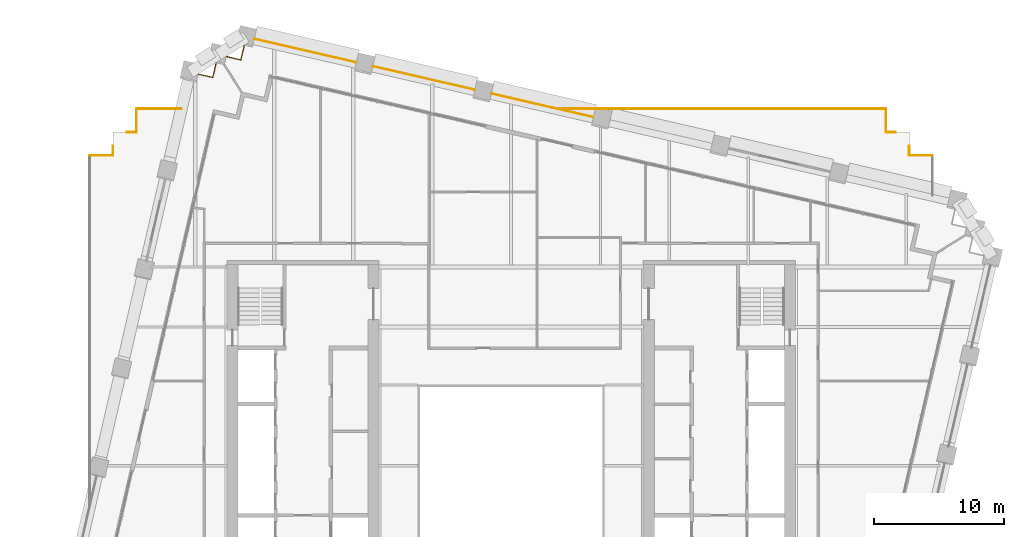
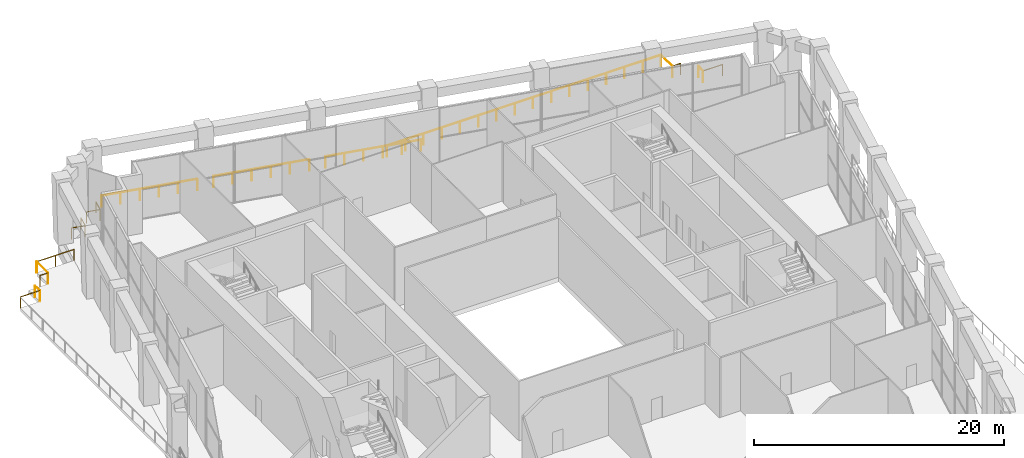
# One storey, part 23 of 23: 15 railings.
"""IFC4 building model written with IfcOpenShell, lengths in metres."""

from ifc_helpers import new_model, si_unit, direction, frame, origin, origin_2d, place, context, subcontext, project, spatial, circle, extrude, material, type_object, element, save


model = new_model("IFC4")

# Units and contexts
model_context = context("Model", 3, precision=1e-05, world=origin(), true_north=direction((0.0, 1.0)))
body_context = subcontext(model_context, "Body", "Model", "MODEL_VIEW")
ifc_project = project(units=[si_unit("LENGTHUNIT", "METRE"), si_unit("AREAUNIT", "SQUARE_METRE"), si_unit("VOLUMEUNIT", "CUBIC_METRE"), si_unit("PLANEANGLEUNIT", "RADIAN"), si_unit("MASSUNIT", "GRAM", prefix="KILO")], contexts=[model_context])

# Site, building, storey
site_placement = place(None, origin())
site = spatial("IfcSite", under=ifc_project, at=site_placement, CompositionType="ELEMENT")
building_placement = place(site_placement, origin())
building = spatial("IfcBuilding", under=site, at=building_placement, Name="Ogive Exchange Tower", CompositionType="ELEMENT")
storey_placement = place(building_placement, frame((0.0, 0.0, 99.60009765625)))
storey = spatial("IfcBuildingStorey", under=building, at=storey_placement, Name="L21", CompositionType="ELEMENT", Elevation=99.60009765625)

# Railings
ifc_material = material(Name="Stainless steel 316", Category="steel")
railing_type_1 = type_object("IfcRailingType", Name="Balustrade 1100 glass and stainless steel", PredefinedType="BALUSTRADE", material=ifc_material)
railing_1_placement = place(storey_placement, frame((-32.39990234375, 33.800048828125, 0.0)))
element("IfcRailing", 1, at=railing_1_placement, inside=storey, type_object=railing_type_1, Name="Terrace balustrade 12", PredefinedType="BALUSTRADE", context=body_context, shape_type="SweptSolid", body=[
    extrude(circle(Radius=0.02392578125, at=origin_2d()), frame((0.0, 0.0, 1.076171875), z_axis=(1.0, 0.0, 0.0), x_axis=(0.0, 1.0, 0.0)), (0.0, 0.0, 1.0), 1.7998046875),
    extrude(circle(Radius=0.02099609375, at=origin_2d()), origin(), (0.0, 0.0, 1.0), 1.052001953125),
    extrude(circle(Radius=0.02099609375, at=origin_2d()), frame((1.7998046875, 0.0, 0.0)), (0.0, 0.0, 1.0), 1.052001953125),
])
railing_2_placement = place(storey_placement, frame((-30.60009765625, 33.800048828125, 0.0)))
element("IfcRailing", 2, at=railing_2_placement, inside=storey, type_object=railing_type_1, Name="Terrace balustrade 13", PredefinedType="BALUSTRADE", context=body_context, shape_type="SweptSolid", body=[
    extrude(circle(Radius=0.02392578125, at=origin_2d()), frame((0.0, 0.0, 1.076171875), z_axis=(0.0, 1.0, 0.0), x_axis=(-1.0, 0.0, 0.0)), (0.0, 0.0, 1.0), 0.75),
    extrude(circle(Radius=0.02099609375, at=origin_2d()), origin(), (0.0, 0.0, 1.0), 1.052001953125),
    extrude(circle(Radius=0.02099609375, at=origin_2d()), frame((0.0, 0.75, 0.0)), (0.0, 0.0, 1.0), 1.052001953125),
])
railing_3_placement = place(storey_placement, frame((-29.550048828125, 35.60009765625, 0.0)))
element("IfcRailing", 3, at=railing_3_placement, inside=storey, type_object=railing_type_1, Name="Terrace balustrade 14", PredefinedType="BALUSTRADE", context=body_context, shape_type="SweptSolid", body=[
    extrude(circle(Radius=0.02392578125, at=origin_2d()), frame((0.0, 0.0, 1.076171875), z_axis=(1.0, 0.0, 0.0), x_axis=(0.0, 1.0, 0.0)), (0.0, 0.0, 1.0), 0.75),
    extrude(circle(Radius=0.02099609375, at=origin_2d()), origin(), (0.0, 0.0, 1.0), 1.052001953125),
    extrude(circle(Radius=0.02099609375, at=origin_2d()), frame((0.75, 0.0, 0.0)), (0.0, 0.0, 1.0), 1.052001953125),
])
railing_4_placement = place(storey_placement, frame((-28.800048828125, 35.60009765625, 0.0)))
element("IfcRailing", 4, at=railing_4_placement, inside=storey, type_object=railing_type_1, Name="Terrace balustrade 15", PredefinedType="BALUSTRADE", context=body_context, shape_type="SweptSolid", body=[
    extrude(circle(Radius=0.02392578125, at=origin_2d()), frame((0.0, 0.0, 1.076171875), z_axis=(0.0, 1.0, 0.0), x_axis=(-1.0, 0.0, 0.0)), (0.0, 0.0, 1.0), 1.7998046875),
    extrude(circle(Radius=0.02099609375, at=origin_2d()), origin(), (0.0, 0.0, 1.0), 1.052001953125),
    extrude(circle(Radius=0.02099609375, at=origin_2d()), frame((0.0, 1.7998046875, 0.0)), (0.0, 0.0, 1.0), 1.052001953125),
])
railing_5_placement = place(storey_placement, frame((-28.800048828125, 37.39990234375, 0.0)))
element("IfcRailing", 5, at=railing_5_placement, inside=storey, type_object=railing_type_1, Name="Terrace balustrade 16", PredefinedType="BALUSTRADE", context=body_context, shape_type="SweptSolid", body=[
    extrude(circle(Radius=0.02392578125, at=origin_2d()), frame((0.0, 0.0, 1.076171875), z_axis=(1.0, 0.0, 0.0), x_axis=(0.0, 1.0, 0.0)), (0.0, 0.0, 1.0), 3.451416015625),
    extrude(circle(Radius=0.02099609375, at=origin_2d()), origin(), (0.0, 0.0, 1.0), 1.052001953125),
    extrude(circle(Radius=0.02099609375, at=origin_2d()), frame((1.7255859375, 0.0, 0.0)), (0.0, 0.0, 1.0), 1.052001953125),
    extrude(circle(Radius=0.02099609375, at=origin_2d()), frame((3.451416015625, 0.0, 0.0)), (0.0, 0.0, 1.0), 1.052001953125),
])
railing_6_placement = place(storey_placement, frame((28.800048828125, 37.39990234375, 0.0)))
element("IfcRailing", 6, at=railing_6_placement, inside=storey, type_object=railing_type_1, Name="Terrace balustrade 18", PredefinedType="BALUSTRADE", context=body_context, shape_type="SweptSolid", body=[
    extrude(circle(Radius=0.02392578125, at=origin_2d()), frame((0.0, 0.0, 1.076171875), z_axis=(0.0, -1.0, 0.0), x_axis=(1.0, 0.0, 0.0)), (0.0, 0.0, 1.0), 1.7998046875),
    extrude(circle(Radius=0.02099609375, at=origin_2d()), origin(), (0.0, 0.0, 1.0), 1.052001953125),
    extrude(circle(Radius=0.02099609375, at=origin_2d()), frame((0.0, -1.7998046875, 0.0)), (0.0, 0.0, 1.0), 1.052001953125),
])
railing_7_placement = place(storey_placement, frame((28.800048828125, 35.60009765625, 0.0)))
element("IfcRailing", 7, at=railing_7_placement, inside=storey, type_object=railing_type_1, Name="Terrace balustrade 19", PredefinedType="BALUSTRADE", context=body_context, shape_type="SweptSolid", body=[
    extrude(circle(Radius=0.02392578125, at=origin_2d()), frame((0.0, 0.0, 1.076171875), z_axis=(1.0, 0.0, 0.0), x_axis=(0.0, 1.0, 0.0)), (0.0, 0.0, 1.0), 0.75),
    extrude(circle(Radius=0.02099609375, at=origin_2d()), origin(), (0.0, 0.0, 1.0), 1.052001953125),
    extrude(circle(Radius=0.02099609375, at=origin_2d()), frame((0.75, 0.0, 0.0)), (0.0, 0.0, 1.0), 1.052001953125),
])
railing_8_placement = place(storey_placement, frame((30.60009765625, 34.550048828125, 0.0)))
element("IfcRailing", 8, at=railing_8_placement, inside=storey, type_object=railing_type_1, Name="Terrace balustrade 20", PredefinedType="BALUSTRADE", context=body_context, shape_type="SweptSolid", body=[
    extrude(circle(Radius=0.02392578125, at=origin_2d()), frame((0.0, 0.0, 1.076171875), z_axis=(0.0, -1.0, 0.0), x_axis=(1.0, 0.0, 0.0)), (0.0, 0.0, 1.0), 0.75),
    extrude(circle(Radius=0.02099609375, at=origin_2d()), origin(), (0.0, 0.0, 1.0), 1.052001953125),
    extrude(circle(Radius=0.02099609375, at=origin_2d()), frame((0.0, -0.75, 0.0)), (0.0, 0.0, 1.0), 1.052001953125),
])
railing_9_placement = place(storey_placement, frame((30.60009765625, 33.800048828125, 0.0)))
element("IfcRailing", 9, at=railing_9_placement, inside=storey, type_object=railing_type_1, Name="Terrace balustrade 21", PredefinedType="BALUSTRADE", context=body_context, shape_type="SweptSolid", body=[
    extrude(circle(Radius=0.02392578125, at=origin_2d()), frame((0.0, 0.0, 1.076171875), z_axis=(1.0, 0.0, 0.0), x_axis=(0.0, 1.0, 0.0)), (0.0, 0.0, 1.0), 1.7998046875),
    extrude(circle(Radius=0.02099609375, at=origin_2d()), origin(), (0.0, 0.0, 1.0), 1.052001953125),
    extrude(circle(Radius=0.02099609375, at=origin_2d()), frame((1.7998046875, 0.0, 0.0)), (0.0, 0.0, 1.0), 1.052001953125),
])
railing_10_placement = place(storey_placement, frame((3.5205078125, 37.39990234375, 0.0)))
element("IfcRailing", 10, at=railing_10_placement, inside=storey, type_object=railing_type_1, Name="Terrace balustrade 23", PredefinedType="BALUSTRADE", context=body_context, shape_type="SweptSolid", body=[
    extrude(circle(Radius=0.02392578125, at=origin_2d()), frame((0.0, 0.0, 1.076171875), z_axis=(1.0, 0.0, 0.0), x_axis=(0.0, 1.0, 0.0)), (0.0, 0.0, 1.0), 25.279541015625),
    extrude(circle(Radius=0.02099609375, at=origin_2d()), origin(), (0.0, 0.0, 1.0), 1.052001953125),
    extrude(circle(Radius=0.02099609375, at=origin_2d()), frame((1.685302734375, 0.0, 0.0)), (0.0, 0.0, 1.0), 1.052001953125),
    extrude(circle(Radius=0.02099609375, at=origin_2d()), frame((3.37060546875, 0.0, 0.0)), (0.0, 0.0, 1.0), 1.052001953125),
    extrude(circle(Radius=0.02099609375, at=origin_2d()), frame((5.055908203125, 0.0, 0.0)), (0.0, 0.0, 1.0), 1.052001953125),
    extrude(circle(Radius=0.02099609375, at=origin_2d()), frame((6.7412109375, 0.0, 0.0)), (0.0, 0.0, 1.0), 1.052001953125),
    extrude(circle(Radius=0.02099609375, at=origin_2d()), frame((8.426513671875, 0.0, 0.0)), (0.0, 0.0, 1.0), 1.052001953125),
    extrude(circle(Radius=0.02099609375, at=origin_2d()), frame((10.11181640625, 0.0, 0.0)), (0.0, 0.0, 1.0), 1.052001953125),
    extrude(circle(Radius=0.02099609375, at=origin_2d()), frame((11.797119140625, 0.0, 0.0)), (0.0, 0.0, 1.0), 1.052001953125),
    extrude(circle(Radius=0.02099609375, at=origin_2d()), frame((13.482421875, 0.0, 0.0)), (0.0, 0.0, 1.0), 1.052001953125),
    extrude(circle(Radius=0.02099609375, at=origin_2d()), frame((15.167724609375, 0.0, 0.0)), (0.0, 0.0, 1.0), 1.052001953125),
    extrude(circle(Radius=0.02099609375, at=origin_2d()), frame((16.85302734375, 0.0, 0.0)), (0.0, 0.0, 1.0), 1.052001953125),
    extrude(circle(Radius=0.02099609375, at=origin_2d()), frame((18.538330078125, 0.0, 0.0)), (0.0, 0.0, 1.0), 1.052001953125),
    extrude(circle(Radius=0.02099609375, at=origin_2d()), frame((20.2236328125, 0.0, 0.0)), (0.0, 0.0, 1.0), 1.052001953125),
    extrude(circle(Radius=0.02099609375, at=origin_2d()), frame((21.908935546875, 0.0, 0.0)), (0.0, 0.0, 1.0), 1.052001953125),
    extrude(circle(Radius=0.02099609375, at=origin_2d()), frame((23.59423828125, 0.0, 0.0)), (0.0, 0.0, 1.0), 1.052001953125),
    extrude(circle(Radius=0.02099609375, at=origin_2d()), frame((25.279541015625, 0.0, 0.0)), (0.0, 0.0, 1.0), 1.052001953125),
])
railing_type_2 = type_object("IfcRailingType", Name="Guard 1100 stainless steel and glass", PredefinedType="GUARDRAIL", material=ifc_material)
for number, where, name in (
    (11, (6.298095703125, 36.7587890625, 0.0), "Loggia guard N03"),
    (12, (-2.812255859375, 38.862060546875, 0.0), "Loggia guard N04"),
    (13, (-11.922607421875, 40.96533203125, 0.0), "Loggia guard N05"),
):
    element("IfcRailing", number, at=place(storey_placement, frame(where)), inside=storey, type_object=railing_type_2, Name=name, PredefinedType="GUARDRAIL", context=body_context, shape_type="SweptSolid", body=[
        extrude(circle(Radius=0.02392578125, at=origin_2d()), frame((0.0, 0.0, 1.076171875), z_axis=(-0.974372699143, 0.224939643383, 0.0), x_axis=(-0.224939643383, -0.974372699143, 0.0)), (0.0, 0.0, 1.0), 8.010009765625),
        extrude(circle(Radius=0.02099609375, at=origin_2d()), origin(), (0.0, 0.0, 1.0), 1.052001953125),
        extrude(circle(Radius=0.02099609375, at=origin_2d()), frame((-1.56103515625, 0.3603515625, 0.0)), (0.0, 0.0, 1.0), 1.052001953125),
        extrude(circle(Radius=0.02099609375, at=origin_2d()), frame((-3.121826171875, 0.720703125, 0.0)), (0.0, 0.0, 1.0), 1.052001953125),
        extrude(circle(Radius=0.02099609375, at=origin_2d()), frame((-4.682861328125, 1.0810546875, 0.0)), (0.0, 0.0, 1.0), 1.052001953125),
        extrude(circle(Radius=0.02099609375, at=origin_2d()), frame((-6.24365234375, 1.44140625, 0.0)), (0.0, 0.0, 1.0), 1.052001953125),
        extrude(circle(Radius=0.02099609375, at=origin_2d()), frame((-7.8046875, 1.8017578125, 0.0)), (0.0, 0.0, 1.0), 1.052001953125),
    ])
railing_11_placement = place(storey_placement, frame((-20.53076171875, 42.26513671875, 0.0)))
element("IfcRailing", 14, at=railing_11_placement, inside=storey, type_object=railing_type_2, Name="Loggia guard C31", PredefinedType="GUARDRAIL", context=body_context, shape_type="SweptSolid", body=[
    extrude(circle(Radius=0.02392578125, at=origin_2d()), frame((0.0, 0.0, 1.076171875), z_axis=(-0.224906842977, -0.974380270727, 0.0), x_axis=(0.974380270727, -0.224906842977, 0.0)), (0.0, 0.0, 1.0), 1.130126953125),
    extrude(circle(Radius=0.02392578125, at=origin_2d()), frame((-0.254150390625, -1.10107421875, 1.076171875), z_axis=(-0.974380270727, 0.224906842977, 0.0), x_axis=(-0.224906842977, -0.974380270727, 0.0)), (0.0, 0.0, 1.0), 1.130126953125),
    extrude(circle(Radius=0.02099609375, at=origin_2d()), origin(), (0.0, 0.0, 1.0), 1.052001953125),
    extrude(circle(Radius=0.02099609375, at=origin_2d()), frame((-0.254150390625, -1.10107421875, 0.0)), (0.0, 0.0, 1.0), 1.052001953125),
    extrude(circle(Radius=0.02099609375, at=origin_2d()), frame((-1.355224609375, -0.846923828125, 0.0)), (0.0, 0.0, 1.0), 1.052001953125),
])
railing_12_placement = place(storey_placement, frame((-22.689697265625, 40.916015625, 0.0)))
element("IfcRailing", 15, at=railing_12_placement, inside=storey, type_object=railing_type_2, Name="Loggia guard C32", PredefinedType="GUARDRAIL", context=body_context, shape_type="SweptSolid", body=[
    extrude(circle(Radius=0.02392578125, at=origin_2d()), frame((0.0, 0.0, 1.076171875), z_axis=(-0.224954198658, -0.974369338858, 0.0), x_axis=(0.974369338858, -0.224954198658, 0.0)), (0.0, 0.0, 1.0), 1.1298828125),
    extrude(circle(Radius=0.02392578125, at=origin_2d()), frame((-0.254150390625, -1.100830078125, 1.076171875), z_axis=(-0.974380270727, 0.224906842977, 0.0), x_axis=(-0.224906842977, -0.974380270727, 0.0)), (0.0, 0.0, 1.0), 1.130126953125),
    extrude(circle(Radius=0.02099609375, at=origin_2d()), origin(), (0.0, 0.0, 1.0), 1.052001953125),
    extrude(circle(Radius=0.02099609375, at=origin_2d()), frame((-0.254150390625, -1.100830078125, 0.0)), (0.0, 0.0, 1.0), 1.052001953125),
    extrude(circle(Radius=0.02099609375, at=origin_2d()), frame((-1.355224609375, -0.8466796875, 0.0)), (0.0, 0.0, 1.0), 1.052001953125),
])

save(model, "model.ifc")
